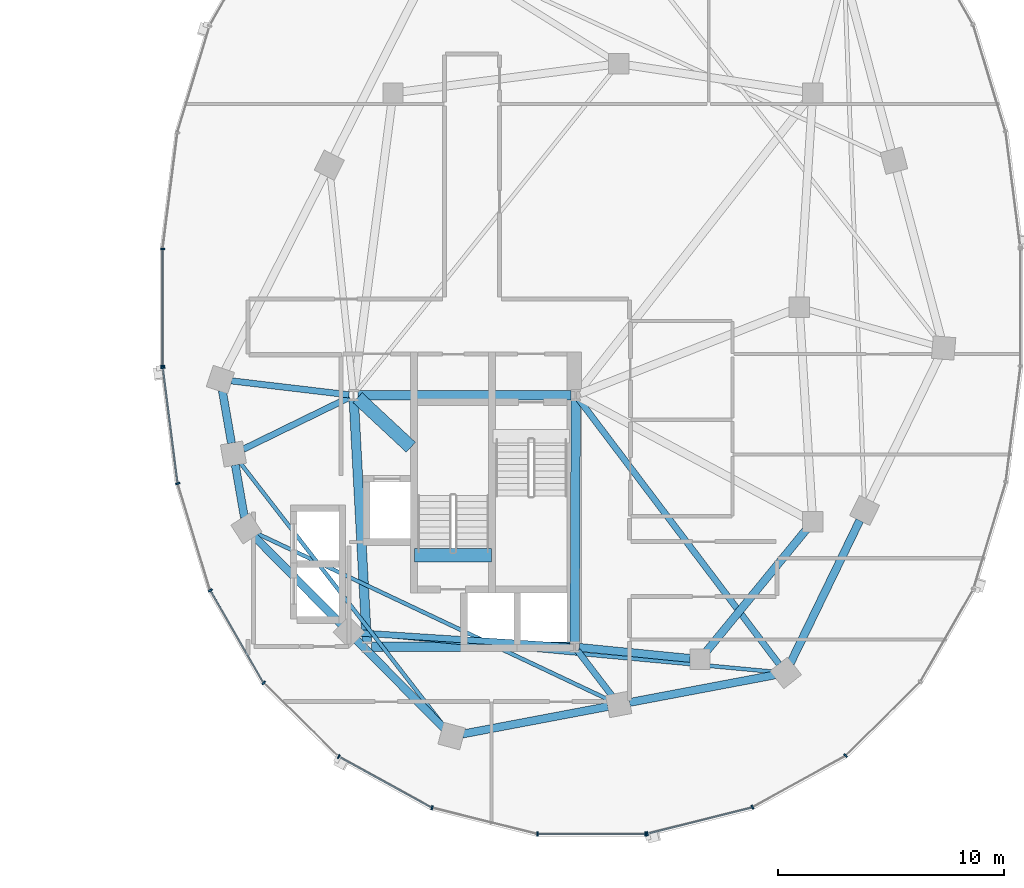
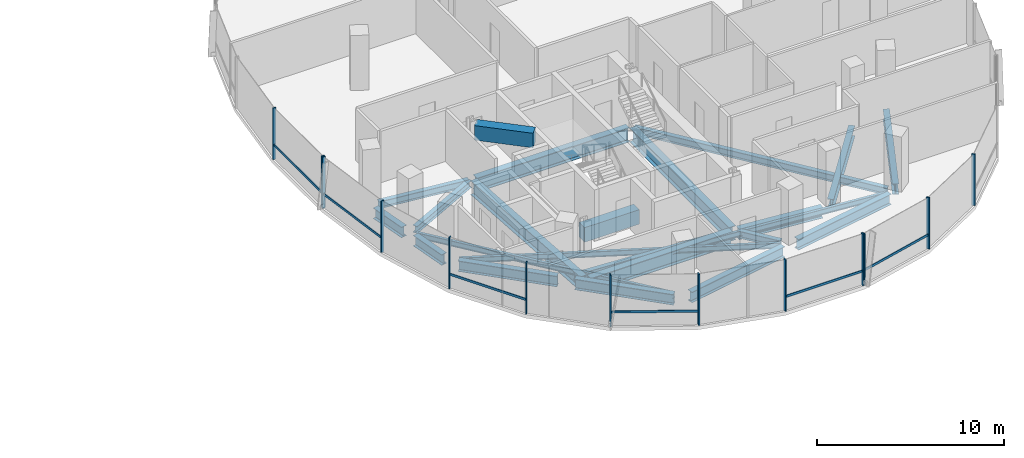
# One storey, part 6 of 22: 23 beams, 19 members, 3 elements without a shape of their own.
"""IFC4 building model written with IfcOpenShell, lengths in metres."""

from ifc_helpers import new_model, si_unit, direction, frame, origin, origin_2d, place, context, subcontext, project, spatial, rectangle, i_section, extrude, material, material_profile, profile_set, type_object, element, aggregate, save


model = new_model("IFC4")

# Units and contexts
model_context = context("Model", 3, precision=1e-05, world=origin(), true_north=direction((0.0, 1.0)))
body_context = subcontext(model_context, "Body", "Model", "MODEL_VIEW")
ifc_project = project(units=[si_unit("LENGTHUNIT", "METRE"), si_unit("AREAUNIT", "SQUARE_METRE"), si_unit("VOLUMEUNIT", "CUBIC_METRE"), si_unit("PLANEANGLEUNIT", "RADIAN"), si_unit("MASSUNIT", "GRAM", prefix="KILO"), si_unit("THERMODYNAMICTEMPERATUREUNIT", "KELVIN"), si_unit("POWERUNIT", "WATT")], contexts=[model_context])

# Site, building, storey
site_placement = place(None, origin())
site = spatial("IfcSite", under=ifc_project, at=site_placement, CompositionType="ELEMENT")
building_placement = place(site_placement, origin())
building = spatial("IfcBuilding", under=site, at=building_placement, Name="Cundina Bronze Exchange", CompositionType="ELEMENT")
storey_placement = place(building_placement, frame((0.0, 0.0, 147.60009765625)))
storey = spatial("IfcBuildingStorey", under=building, at=storey_placement, Name="L38", CompositionType="ELEMENT", Elevation=147.60009765625)

# Beams
ifc_material_1 = material(Name="Concrete C60/75", Category="concrete")
ifc_material_profile_1 = material_profile(ifc_material_1, rectangle(XDim=0.60009765625, YDim=0.949951171875, at=origin_2d()), Name="RC600X950", Category="concrete")
ifc_profile_set_1 = profile_set([ifc_material_profile_1], Name="Concrete C60/75")
beam_type_1 = type_object("IfcBeamType", Name="BM-COUP-RC950", PredefinedType="LINTEL", material=ifc_profile_set_1)
beam_1_placement = place(storey_placement, frame((24.159912109375, -10.97998046875, -0.47509765625), z_axis=(1.0, 0.0, 0.0), x_axis=(0.0, 1.0, 0.0)))
element("IfcBeam", 1, at=beam_1_placement, inside=storey, type_object=beam_type_1, Name="L38 Stair E2 Landing Header Beam", PredefinedType="LINTEL", context=body_context, shape_type="SweptSolid", body=[
    extrude(rectangle(XDim=0.60009765625, YDim=0.949951171875, at=origin_2d()), origin(), (0.0, 0.0, 1.0), 3.400146484375),
])
beam_2_placement = place(storey_placement, frame((21.6298828125, -4.0, 2.885009765625), z_axis=(0.731490439815, -0.681851696822, 0.0), x_axis=(0.681851696822, 0.731490439815, 0.0)))
element("IfcBeam", 2, at=beam_2_placement, inside=storey, type_object=beam_type_1, Name="L38 E Core Shear Coupling Lintel Beam", PredefinedType="LINTEL", context=body_context, shape_type="SweptSolid", body=[
    extrude(rectangle(XDim=0.60009765625, YDim=0.949951171875, at=origin_2d()), origin(), (0.0, 0.0, 1.0), 3.226318359375),
])
ifc_material_2 = material(Name="Steel ASTM A992 Grade 50", Category="steel")
ifc_material_profile_2 = material_profile(ifc_material_2, i_section(OverallWidth=0.280029296875, OverallDepth=0.462890625, WebThickness=0.0107421875, FlangeThickness=0.017333984375, FilletRadius=0.011962890625, at=origin_2d()), Name="W18X76", Category="steel")
ifc_profile_set_2 = profile_set([ifc_material_profile_2], Name="Steel ASTM A992 Grade 50")
beam_type_2 = type_object("IfcBeamType", Name="BM-FLR-W18A", PredefinedType="BEAM", material=ifc_profile_set_2)
beam_3_placement = place(storey_placement, frame((21.247314453125, -3.8759765625, -0.4716796875), z_axis=(-0.993036158382, 0.11780996624, 0.0), x_axis=(-0.11780996624, -0.993036158382, 0.0)))
element("IfcBeam", 3, at=beam_3_placement, inside=storey, type_object=beam_type_2, Name="L38 Leg E Chordal Floor Beam 00", PredefinedType="BEAM", context=body_context, shape_type="SweptSolid", body=[
    extrude(i_section(OverallWidth=0.280029296875, OverallDepth=0.462890625, WebThickness=0.0107421875, FlangeThickness=0.017333984375, FilletRadius=0.011962890625, at=origin_2d()), origin(), (0.0, 0.0, 1.0), 5.249267578125),
])
beam_4_placement = place(storey_placement, frame((21.2666015625, -3.989501953125, -0.4716796875), z_axis=(-0.898604300669, -0.438759969481, 0.0), x_axis=(0.438759969481, -0.898604300669, 0.0)))
element("IfcBeam", 4, at=beam_4_placement, inside=storey, type_object=beam_type_2, Name="L38 Leg E Chordal Floor Beam 01", PredefinedType="BEAM", context=body_context, shape_type="SweptSolid", body=[
    extrude(i_section(OverallWidth=0.280029296875, OverallDepth=0.462890625, WebThickness=0.0107421875, FlangeThickness=0.017333984375, FilletRadius=0.011962890625, at=origin_2d()), origin(), (0.0, 0.0, 1.0), 5.23388671875),
])
beam_5_placement = place(storey_placement, frame((31.04638671875, -15.036865234375, -0.4716796875), z_axis=(-0.99789334888, 0.064875760192, 0.0), x_axis=(-0.064875760192, -0.99789334888, 0.0)))
element("IfcBeam", 5, at=beam_5_placement, inside=storey, type_object=beam_type_2, Name="L38 Leg E Chordal Floor Beam 03", PredefinedType="BEAM", context=body_context, shape_type="SweptSolid", body=[
    extrude(i_section(OverallWidth=0.280029296875, OverallDepth=0.462890625, WebThickness=0.0107421875, FlangeThickness=0.017333984375, FilletRadius=0.011962890625, at=origin_2d()), origin(), (0.0, 0.0, 1.0), 9.328857421875),
])
beam_6_placement = place(storey_placement, frame((31.373779296875, -15.2119140625, -0.4716796875), z_axis=(0.607450107571, -0.794357832977, 0.0), x_axis=(0.794357832977, 0.607450107571, 0.0)))
element("IfcBeam", 6, at=beam_6_placement, inside=storey, type_object=beam_type_2, Name="L38 Leg E Chordal Floor Beam 05", PredefinedType="BEAM", context=body_context, shape_type="SweptSolid", body=[
    extrude(i_section(OverallWidth=0.280029296875, OverallDepth=0.462890625, WebThickness=0.0107421875, FlangeThickness=0.017333984375, FilletRadius=0.011962890625, at=origin_2d()), origin(), (0.0, 0.0, 1.0), 2.518310546875),
])
beam_7_placement = place(storey_placement, frame((31.423095703125, -4.062744140625, -0.4716796875), z_axis=(0.603103901721, -0.797662637792, 0.0), x_axis=(0.797662637792, 0.603103901721, 0.0)))
element("IfcBeam", 7, at=beam_7_placement, inside=storey, type_object=beam_type_2, Name="L38 Leg E Chordal Floor Beam 06", PredefinedType="BEAM", context=body_context, shape_type="SweptSolid", body=[
    extrude(i_section(OverallWidth=0.280029296875, OverallDepth=0.462890625, WebThickness=0.0107421875, FlangeThickness=0.017333984375, FilletRadius=0.011962890625, at=origin_2d()), origin(), (0.0, 0.0, 1.0), 14.72802734375),
])
ifc_material_profile_3 = material_profile(ifc_material_2, i_section(OverallWidth=0.172119140625, OverallDepth=0.35791015625, WebThickness=0.0078125, FlangeThickness=0.01318359375, FilletRadius=0.010009765625, at=origin_2d()), Name="W14X38", Category="steel")
ifc_profile_set_3 = profile_set([ifc_material_profile_3], Name="Steel ASTM A992 Grade 50")
beam_type_3 = type_object("IfcBeamType", Name="BM-JST-W14", PredefinedType="JOIST", material=ifc_profile_set_3)
beam_8_placement = place(storey_placement, frame((16.423583984375, -6.885986328125, -0.419189453125), z_axis=(0.61208354334, -0.790793105668, 0.0), x_axis=(0.790793105668, 0.61208354334, 0.0)))
element("IfcBeam", 8, at=beam_8_placement, inside=storey, type_object=beam_type_3, Name="L38 Leg E Lobe Floor Joist 01-04", PredefinedType="JOIST", context=body_context, shape_type="SweptSolid", body=[
    extrude(i_section(OverallWidth=0.172119140625, OverallDepth=0.35791015625, WebThickness=0.0078125, FlangeThickness=0.01318359375, FilletRadius=0.010009765625, at=origin_2d()), origin(), (0.0, 0.0, 1.0), 14.830810546875),
])
beam_9_placement = place(storey_placement, frame((17.14111328125, -10.008544921875, -0.419189453125), z_axis=(0.904074252188, -0.427375416385, 0.0), x_axis=(0.427375416385, 0.904074252188, 0.0)))
element("IfcBeam", 9, at=beam_9_placement, inside=storey, type_object=beam_type_3, Name="L38 Leg E Lobe Floor Joist 02-05", PredefinedType="JOIST", context=body_context, shape_type="SweptSolid", body=[
    extrude(i_section(OverallWidth=0.172119140625, OverallDepth=0.35791015625, WebThickness=0.0078125, FlangeThickness=0.01318359375, FilletRadius=0.010009765625, at=origin_2d()), origin(), (0.0, 0.0, 1.0), 17.274658203125),
])
beam_10_placement = place(storey_placement, frame((21.73583984375, -14.4453125, -0.419189453125), z_axis=(0.995701840093, -0.092616659595, 0.0), x_axis=(0.092616659595, 0.995701840093, 0.0)))
element("IfcBeam", 10, at=beam_10_placement, inside=storey, type_object=beam_type_3, Name="L38 Leg E Lobe Floor Joist 03-06", PredefinedType="JOIST", context=body_context, shape_type="SweptSolid", body=[
    extrude(i_section(OverallWidth=0.172119140625, OverallDepth=0.35791015625, WebThickness=0.0078125, FlangeThickness=0.01318359375, FilletRadius=0.010009765625, at=origin_2d()), origin(), (0.0, 0.0, 1.0), 18.45751953125),
])
ifc_material_profile_4 = material_profile(ifc_material_2, i_section(OverallWidth=0.35498046875, OverallDepth=0.695068359375, WebThickness=0.015380859375, FlangeThickness=0.02490234375, FilletRadius=0.01806640625, at=origin_2d()), Name="W27X146", Category="steel")
ifc_profile_set_4 = profile_set([ifc_material_profile_4], Name="Steel ASTM A992 Grade 50")
beam_type_4 = type_object("IfcBeamType", Name="BM-RING-W27", PredefinedType="USERDEFINED", material=ifc_profile_set_4)
beam_11_placement = place(storey_placement, frame((31.452880859375, -15.070068359375, -0.587646484375), z_axis=(0.995123020608, -0.098641643622, 0.0), x_axis=(0.098641643622, 0.995123020608, 0.0)))
element("IfcBeam", 11, at=beam_11_placement, inside=storey, type_object=beam_type_4, Name="L38 E Inner Structural Ring Girder 01", ObjectType="GIRDER", PredefinedType="USERDEFINED", context=body_context, shape_type="SweptSolid", body=[
    extrude(i_section(OverallWidth=0.35498046875, OverallDepth=0.695068359375, WebThickness=0.015380859375, FlangeThickness=0.02490234375, FilletRadius=0.01806640625, at=origin_2d()), origin(), (0.0, 0.0, 1.0), 4.935302734375),
])
beam_12_placement = place(storey_placement, frame((37.07763671875, -15.26123046875, -0.587646484375), z_axis=(0.633912590175, 0.77340469873, 0.0), x_axis=(-0.77340469873, 0.633912590175, 0.0)))
element("IfcBeam", 12, at=beam_12_placement, inside=storey, type_object=beam_type_4, Name="L38 E Inner Structural Ring Girder 02", ObjectType="GIRDER", PredefinedType="USERDEFINED", context=body_context, shape_type="SweptSolid", body=[
    extrude(i_section(OverallWidth=0.35498046875, OverallDepth=0.695068359375, WebThickness=0.015380859375, FlangeThickness=0.02490234375, FilletRadius=0.01806640625, at=origin_2d()), origin(), (0.0, 0.0, 1.0), 7.01123046875),
])
for number, where, z_axis, x_axis, name in (
    (13, (15.6337890625, -3.680908203125, -0.587646484375), (0.171666718895, -0.985155083032, 0.0), (0.985155083032, 0.171666718895, 0.0), "L38 E Perimeter Ring Girder 00"),
    (14, (16.208740234375, -6.980712890625, -0.587646484375), (0.171666718895, -0.985155083032, 0.0), (0.985155083032, 0.171666718895, 0.0), "L38 E Perimeter Ring Girder 01"),
):
    element("IfcBeam", number, at=place(storey_placement, frame(where, z_axis=z_axis, x_axis=x_axis)), inside=storey, type_object=beam_type_4, Name=name, ObjectType="GIRDER", PredefinedType="USERDEFINED", context=body_context, shape_type="SweptSolid", body=[
        extrude(i_section(OverallWidth=0.35498046875, OverallDepth=0.695068359375, WebThickness=0.015380859375, FlangeThickness=0.02490234375, FilletRadius=0.01806640625, at=origin_2d()), origin(), (0.0, 0.0, 1.0), 2.37353515625),
    ])
beam_13_placement = place(storey_placement, frame((17.043212890625, -10.14697265625, -0.587646484375), z_axis=(0.703230112979, -0.710962311378, 0.0), x_axis=(0.710962311378, 0.703230112979, 0.0)))
element("IfcBeam", 15, at=beam_13_placement, inside=storey, type_object=beam_type_4, Name="L38 E Perimeter Ring Girder 02", ObjectType="GIRDER", PredefinedType="USERDEFINED", context=body_context, shape_type="SweptSolid", body=[
    extrude(i_section(OverallWidth=0.35498046875, OverallDepth=0.695068359375, WebThickness=0.015380859375, FlangeThickness=0.02490234375, FilletRadius=0.01806640625, at=origin_2d()), origin(), (0.0, 0.0, 1.0), 5.493896484375),
])
beam_14_placement = place(storey_placement, frame((21.59326171875, -14.746826171875, -0.587646484375), z_axis=(0.703207895705, -0.710984286337, 0.0), x_axis=(0.710984286337, 0.703207895705, 0.0)))
element("IfcBeam", 16, at=beam_14_placement, inside=storey, type_object=beam_type_4, Name="L38 E Perimeter Ring Girder 03", ObjectType="GIRDER", PredefinedType="USERDEFINED", context=body_context, shape_type="SweptSolid", body=[
    extrude(i_section(OverallWidth=0.35498046875, OverallDepth=0.695068359375, WebThickness=0.015380859375, FlangeThickness=0.02490234375, FilletRadius=0.01806640625, at=origin_2d()), origin(), (0.0, 0.0, 1.0), 5.494140625),
])
beam_15_placement = place(storey_placement, frame((26.279541015625, -18.9091796875, -0.587646484375), z_axis=(0.982571532667, 0.185884865421, 0.0), x_axis=(-0.185884865421, 0.982571532667, 0.0)))
element("IfcBeam", 17, at=beam_15_placement, inside=storey, type_object=beam_type_4, Name="L38 E Perimeter Ring Girder 04", ObjectType="GIRDER", PredefinedType="USERDEFINED", context=body_context, shape_type="SweptSolid", body=[
    extrude(i_section(OverallWidth=0.35498046875, OverallDepth=0.695068359375, WebThickness=0.015380859375, FlangeThickness=0.02490234375, FilletRadius=0.01806640625, at=origin_2d()), origin(), (0.0, 0.0, 1.0), 6.55517578125),
])
beam_16_placement = place(storey_placement, frame((33.679443359375, -17.50927734375, -0.587646484375), z_axis=(0.982572819495, 0.185878063226, 0.0), x_axis=(-0.185878063226, 0.982572819495, 0.0)))
element("IfcBeam", 18, at=beam_16_placement, inside=storey, type_object=beam_type_4, Name="L38 E Perimeter Ring Girder 05", ObjectType="GIRDER", PredefinedType="USERDEFINED", context=body_context, shape_type="SweptSolid", body=[
    extrude(i_section(OverallWidth=0.35498046875, OverallDepth=0.695068359375, WebThickness=0.015380859375, FlangeThickness=0.02490234375, FilletRadius=0.01806640625, at=origin_2d()), origin(), (0.0, 0.0, 1.0), 6.555419921875),
])
beam_17_placement = place(storey_placement, frame((40.8134765625, -15.760986328125, -0.587646484375), z_axis=(0.437196998825, 0.89936576776, 0.0), x_axis=(-0.89936576776, 0.437196998825, 0.0)))
element("IfcBeam", 19, at=beam_17_placement, inside=storey, type_object=beam_type_4, Name="L38 E Perimeter Ring Girder 06", ObjectType="GIRDER", PredefinedType="USERDEFINED", context=body_context, shape_type="SweptSolid", body=[
    extrude(i_section(OverallWidth=0.35498046875, OverallDepth=0.695068359375, WebThickness=0.015380859375, FlangeThickness=0.02490234375, FilletRadius=0.01806640625, at=origin_2d()), origin(), (0.0, 0.0, 1.0), 7.029541015625),
])
ifc_material_profile_5 = material_profile(ifc_material_2, i_section(OverallWidth=0.41796875, OverallDepth=0.927001953125, WebThickness=0.019287109375, FlangeThickness=0.031982421875, FilletRadius=0.02392578125, at=origin_2d()), Name="W36X231", Category="steel")
ifc_profile_set_5 = profile_set([ifc_material_profile_5], Name="Steel ASTM A992 Grade 50")
beam_type_5 = type_object("IfcBeamType", Name="BM-WRN-W36B", PredefinedType="USERDEFINED", material=ifc_profile_set_5)
beam_18_placement = place(storey_placement, frame((31.095947265625, -3.89990234375, -0.70361328125), z_axis=(-1.0, 0.0, 0.0), x_axis=(0.0, -1.0, 0.0)))
element("IfcBeam", 20, at=beam_18_placement, inside=storey, type_object=beam_type_5, Name="L38 E Core Perimeter Tie Girder 1", ObjectType="GIRDER", PredefinedType="USERDEFINED", context=body_context, shape_type="SweptSolid", body=[
    extrude(i_section(OverallWidth=0.41796875, OverallDepth=0.927001953125, WebThickness=0.019287109375, FlangeThickness=0.031982421875, FilletRadius=0.02392578125, at=origin_2d()), origin(), (0.0, 0.0, 1.0), 9.44189453125),
])
beam_19_placement = place(storey_placement, frame((21.4609375, -4.103759765625, -0.70361328125), z_axis=(0.053739193498, -0.998555005537, 0.0), x_axis=(0.998555005537, 0.053739193498, 0.0)))
element("IfcBeam", 21, at=beam_19_placement, inside=storey, type_object=beam_type_5, Name="L38 E Core Perimeter Tie Girder 2", ObjectType="GIRDER", PredefinedType="USERDEFINED", context=body_context, shape_type="SweptSolid", body=[
    extrude(i_section(OverallWidth=0.41796875, OverallDepth=0.927001953125, WebThickness=0.019287109375, FlangeThickness=0.031982421875, FilletRadius=0.02392578125, at=origin_2d()), origin(), (0.0, 0.0, 1.0), 10.758056640625),
])
beam_20_placement = place(storey_placement, frame((22.25390625, -15.050048828125, -0.70361328125), z_axis=(1.0, 0.0, 0.0), x_axis=(0.0, 1.0, 0.0)))
element("IfcBeam", 22, at=beam_20_placement, inside=storey, type_object=beam_type_5, Name="L38 E Core Perimeter Tie Girder 3", ObjectType="GIRDER", PredefinedType="USERDEFINED", context=body_context, shape_type="SweptSolid", body=[
    extrude(i_section(OverallWidth=0.41796875, OverallDepth=0.927001953125, WebThickness=0.019287109375, FlangeThickness=0.031982421875, FilletRadius=0.02392578125, at=origin_2d()), origin(), (0.0, 0.0, 1.0), 8.7919921875),
])
beam_21_placement = place(storey_placement, frame((31.2509765625, -14.845947265625, -0.70361328125), z_axis=(0.004477329608, 0.99998997671, 0.0), x_axis=(-0.99998997671, 0.004477329608, 0.0)))
element("IfcBeam", 23, at=beam_21_placement, inside=storey, type_object=beam_type_5, Name="L38 E Core Perimeter Tie Girder 4", ObjectType="GIRDER", PredefinedType="USERDEFINED", context=body_context, shape_type="SweptSolid", body=[
    extrude(i_section(OverallWidth=0.41796875, OverallDepth=0.927001953125, WebThickness=0.019287109375, FlangeThickness=0.031982421875, FilletRadius=0.02392578125, at=origin_2d()), origin(), (0.0, 0.0, 1.0), 10.741943359375),
])

# Curtain wall, members
ifc_material_3 = material(Name="Anodised Bronze Aluminium 6063-T6", Category="aluminium")
curtain_wall_type = type_object("IfcCurtainWallType", Name="CWS-WST-PIN", PredefinedType="NOTDEFINED", material=ifc_material_3)
curtain_wall_1_placement = place(storey_placement, origin())
curtain_wall_1 = element("IfcCurtainWall", 24, at=curtain_wall_1_placement, inside=storey, type_object=curtain_wall_type, Name="L38 CW-04 Curtain Wall Run CWR-L38-E2", PredefinedType="NOTDEFINED")
ifc_material_profile_6 = material_profile(ifc_material_3, rectangle(XDim=0.070068359375, YDim=0.18994140625, at=origin_2d()), Name="AL70X190", Category="aluminium")
ifc_profile_set_6 = profile_set([ifc_material_profile_6], Name="Anodised Bronze Aluminium 6063-T6")
member_type_1 = type_object("IfcMemberType", Name="CWM-MUL-190", PredefinedType="MULLION", material=ifc_profile_set_6)
member_1_placement = place(storey_placement, frame((12.992919921875, 2.593017578125, 0.0), z_axis=(0.0, 0.0, 1.0), x_axis=(0.0, -1.0, 0.0)))
member_1 = element("IfcMember", 25, at=member_1_placement, type_object=member_type_1, Name="CW-04 Mullion 7", PredefinedType="MULLION", context=body_context, shape_type="SweptSolid", body=[
    extrude(rectangle(XDim=0.070068359375, YDim=0.18994140625, at=origin_2d()), origin(), (0.0, 0.0, 1.0), 3.35986328125),
])
member_2_placement = place(storey_placement, frame((12.992919921875, -2.593017578125, 0.0), z_axis=(0.0, 0.0, 1.0), x_axis=(0.0, -1.0, 0.0)))
member_2 = element("IfcMember", 26, at=member_2_placement, type_object=member_type_1, Name="CW-04 End Mullion", PredefinedType="MULLION", context=body_context, shape_type="SweptSolid", body=[
    extrude(rectangle(XDim=0.070068359375, YDim=0.18994140625, at=origin_2d()), origin(), (0.0, 0.0, 1.0), 3.35986328125),
])

curtain_wall_2_placement = place(storey_placement, origin())
curtain_wall_2 = element("IfcCurtainWall", 27, at=curtain_wall_2_placement, inside=storey, type_object=curtain_wall_type, Name="L38 CW-04 Curtain Wall Run CWR-L38-E3", PredefinedType="NOTDEFINED")
member_3_placement = place(storey_placement, frame((12.998291015625, -2.676025390625, 0.0), z_axis=(0.0, 0.0, 1.0), x_axis=(0.126545236492, -0.991960837494, 0.0)))
member_3 = element("IfcMember", 28, at=member_3_placement, type_object=member_type_1, Name="CW-04 Mullion 1", PredefinedType="MULLION", context=body_context, shape_type="SweptSolid", body=[
    extrude(rectangle(XDim=0.070068359375, YDim=0.18994140625, at=origin_2d()), origin(), (0.0, 0.0, 1.0), 3.35986328125),
])
member_4_placement = place(storey_placement, frame((13.6591796875, -7.80859375, 0.0), z_axis=(0.0, 0.0, 1.0), x_axis=(0.290034140915, -0.957016299288, 0.0)))
member_4 = element("IfcMember", 29, at=member_4_placement, type_object=member_type_1, Name="CW-04 Mullion 2", PredefinedType="MULLION", context=body_context, shape_type="SweptSolid", body=[
    extrude(rectangle(XDim=0.070068359375, YDim=0.18994140625, at=origin_2d()), origin(), (0.0, 0.0, 1.0), 3.35986328125),
])
member_5_placement = place(storey_placement, frame((15.10205078125, -12.541259765625, 0.0), z_axis=(0.0, 0.0, 1.0), x_axis=(0.498487739754, -0.866896748936, 0.0)))
member_5 = element("IfcMember", 30, at=member_5_placement, type_object=member_type_1, Name="CW-04 Mullion 3", PredefinedType="MULLION", context=body_context, shape_type="SweptSolid", body=[
    extrude(rectangle(XDim=0.070068359375, YDim=0.18994140625, at=origin_2d()), origin(), (0.0, 0.0, 1.0), 3.35986328125),
])
member_6_placement = place(storey_placement, frame((17.469482421875, -16.640380859375, 0.0), z_axis=(0.0, 0.0, 1.0), x_axis=(0.712026045991, -0.702153052995, 0.0)))
member_6 = element("IfcMember", 31, at=member_6_placement, type_object=member_type_1, Name="CW-04 Mullion 4", PredefinedType="MULLION", context=body_context, shape_type="SweptSolid", body=[
    extrude(rectangle(XDim=0.070068359375, YDim=0.18994140625, at=origin_2d()), origin(), (0.0, 0.0, 1.0), 3.35986328125),
])
member_7_placement = place(storey_placement, frame((20.79345703125, -19.906005859375, 0.0), z_axis=(0.0, 0.0, 1.0), x_axis=(0.875885937035, -0.482518212408, 0.0)))
member_7 = element("IfcMember", 32, at=member_7_placement, type_object=member_type_1, Name="CW-04 Mullion 5", PredefinedType="MULLION", context=body_context, shape_type="SweptSolid", body=[
    extrude(rectangle(XDim=0.070068359375, YDim=0.18994140625, at=origin_2d()), origin(), (0.0, 0.0, 1.0), 3.35986328125),
])
member_8_placement = place(storey_placement, frame((24.932373046875, -22.17626953125, 0.0), z_axis=(0.0, 0.0, 1.0), x_axis=(0.970084240161, -0.242768546132, 0.0)))
member_8 = element("IfcMember", 33, at=member_8_placement, type_object=member_type_1, Name="CW-04 Mullion 6", PredefinedType="MULLION", context=body_context, shape_type="SweptSolid", body=[
    extrude(rectangle(XDim=0.070068359375, YDim=0.18994140625, at=origin_2d()), origin(), (0.0, 0.0, 1.0), 3.35986328125),
])
member_9_placement = place(storey_placement, frame((29.60595703125, -23.3369140625, 0.0), z_axis=(0.0, 0.0, 1.0), x_axis=(1.0, 0.0, 0.0)))
member_9 = element("IfcMember", 34, at=member_9_placement, type_object=member_type_1, Name="CW-04 Mullion 7", PredefinedType="MULLION", context=body_context, shape_type="SweptSolid", body=[
    extrude(rectangle(XDim=0.070068359375, YDim=0.18994140625, at=origin_2d()), origin(), (0.0, 0.0, 1.0), 3.35986328125),
])
member_10_placement = place(storey_placement, frame((34.39404296875, -23.3369140625, 0.0), z_axis=(0.0, 0.0, 1.0), x_axis=(1.0, 0.0, 0.0)))
member_10 = element("IfcMember", 35, at=member_10_placement, type_object=member_type_1, Name="CW-04 End Mullion", PredefinedType="MULLION", context=body_context, shape_type="SweptSolid", body=[
    extrude(rectangle(XDim=0.070068359375, YDim=0.18994140625, at=origin_2d()), origin(), (0.0, 0.0, 1.0), 3.35986328125),
])

curtain_wall_3_placement = place(storey_placement, origin())
curtain_wall_3 = element("IfcCurtainWall", 36, at=curtain_wall_3_placement, inside=storey, type_object=curtain_wall_type, Name="L38 CW-04 Curtain Wall Run CWR-L38-E4", PredefinedType="NOTDEFINED")
member_11_placement = place(storey_placement, frame((34.462646484375, -23.32861328125, 0.0), z_axis=(0.0, 0.0, 1.0), x_axis=(0.970084240161, 0.242768546132, 0.0)))
member_11 = element("IfcMember", 37, at=member_11_placement, type_object=member_type_1, Name="CW-04 Mullion 1", PredefinedType="MULLION", context=body_context, shape_type="SweptSolid", body=[
    extrude(rectangle(XDim=0.070068359375, YDim=0.18994140625, at=origin_2d()), origin(), (0.0, 0.0, 1.0), 3.35986328125),
])
member_12_placement = place(storey_placement, frame((39.13037109375, -22.151611328125, 0.0), z_axis=(0.0, 0.0, 1.0), x_axis=(0.875885937035, 0.482518212408, 0.0)))
member_12 = element("IfcMember", 38, at=member_12_placement, type_object=member_type_1, Name="CW-04 Mullion 2", PredefinedType="MULLION", context=body_context, shape_type="SweptSolid", body=[
    extrude(rectangle(XDim=0.070068359375, YDim=0.18994140625, at=origin_2d()), origin(), (0.0, 0.0, 1.0), 3.35986328125),
])
member_13_placement = place(storey_placement, frame((43.259033203125, -19.86669921875, 0.0), z_axis=(0.0, 0.0, 1.0), x_axis=(0.712026045991, 0.702153052995, 0.0)))
member_13 = element("IfcMember", 39, at=member_13_placement, type_object=member_type_1, Name="CW-04 Mullion 3", PredefinedType="MULLION", context=body_context, shape_type="SweptSolid", body=[
    extrude(rectangle(XDim=0.070068359375, YDim=0.18994140625, at=origin_2d()), origin(), (0.0, 0.0, 1.0), 3.35986328125),
])

# Member
ifc_material_profile_7 = material_profile(ifc_material_3, rectangle(XDim=0.06494140625, YDim=0.14990234375, at=origin_2d()), Name="AL65X150", Category="aluminium")
ifc_profile_set_7 = profile_set([ifc_material_profile_7], Name="Anodised Bronze Aluminium 6063-T6")
member_type_2 = type_object("IfcMemberType", Name="CWM-TRN-150", PredefinedType="USERDEFINED", material=ifc_profile_set_7)
member_14_placement = place(storey_placement, frame((12.992919921875, 2.554443359375, 0.919921875), z_axis=(0.0, -1.0, 0.0), x_axis=(1.0, 0.0, 0.0)))
member_14 = element("IfcMember", 40, at=member_14_placement, type_object=member_type_2, Name="CW-04 Spandrel Transom 7", ObjectType="TRANSOM", PredefinedType="USERDEFINED", context=body_context, shape_type="SweptSolid", body=[
    extrude(rectangle(XDim=0.06494140625, YDim=0.14990234375, at=origin_2d()), origin(), (0.0, 0.0, 1.0), 5.10888671875),
])

aggregate(curtain_wall_1, [member_1, member_2, member_14])

member_15_placement = place(storey_placement, frame((13.003173828125, -2.71435546875, 0.919921875), z_axis=(0.12646340362, -0.991971273548, 0.0), x_axis=(0.991971273548, 0.12646340362, 0.0)))
member_15 = element("IfcMember", 41, at=member_15_placement, type_object=member_type_2, Name="CW-04 Spandrel Transom 1", ObjectType="TRANSOM", PredefinedType="USERDEFINED", context=body_context, shape_type="SweptSolid", body=[
    extrude(rectangle(XDim=0.06494140625, YDim=0.14990234375, at=origin_2d()), origin(), (0.0, 0.0, 1.0), 5.0966796875),
])

member_16_placement = place(storey_placement, frame((15.121337890625, -12.574462890625, 0.919921875), z_axis=(0.498479967047, -0.866901218394, 0.0), x_axis=(0.866901218394, 0.498479967047, 0.0)))
member_16 = element("IfcMember", 42, at=member_16_placement, type_object=member_type_2, Name="CW-04 Spandrel Transom 3", ObjectType="TRANSOM", PredefinedType="USERDEFINED", context=body_context, shape_type="SweptSolid", body=[
    extrude(rectangle(XDim=0.06494140625, YDim=0.14990234375, at=origin_2d()), origin(), (0.0, 0.0, 1.0), 4.66845703125),
])

member_17_placement = place(storey_placement, frame((20.8271484375, -19.924560546875, 0.919921875), z_axis=(0.875878981549, -0.482530838062, 0.0), x_axis=(0.482530838062, 0.875878981549, 0.0)))
member_17 = element("IfcMember", 43, at=member_17_placement, type_object=member_type_2, Name="CW-04 Spandrel Transom 5", ObjectType="TRANSOM", PredefinedType="USERDEFINED", context=body_context, shape_type="SweptSolid", body=[
    extrude(rectangle(XDim=0.06494140625, YDim=0.14990234375, at=origin_2d()), origin(), (0.0, 0.0, 1.0), 4.65380859375),
])

member_18_placement = place(storey_placement, frame((29.64453125, -23.3369140625, 0.919921875), z_axis=(1.0, 0.0, 0.0), x_axis=(0.0, 1.0, 0.0)))
member_18 = element("IfcMember", 44, at=member_18_placement, type_object=member_type_2, Name="CW-04 Spandrel Transom 7", ObjectType="TRANSOM", PredefinedType="USERDEFINED", context=body_context, shape_type="SweptSolid", body=[
    extrude(rectangle(XDim=0.06494140625, YDim=0.14990234375, at=origin_2d()), origin(), (0.0, 0.0, 1.0), 4.7109375),
])

aggregate(curtain_wall_2, [member_3, member_15, member_4, member_5, member_16, member_6, member_7, member_17, member_8, member_9, member_10, member_18])

member_19_placement = place(storey_placement, frame((34.5, -23.319091796875, 0.919921875), z_axis=(0.970100130035, 0.242705042606, 0.0), x_axis=(-0.242705042606, 0.970100130035, 0.0)))
member_19 = element("IfcMember", 45, at=member_19_placement, type_object=member_type_2, Name="CW-04 Spandrel Transom 1", ObjectType="TRANSOM", PredefinedType="USERDEFINED", context=body_context, shape_type="SweptSolid", body=[
    extrude(rectangle(XDim=0.06494140625, YDim=0.14990234375, at=origin_2d()), origin(), (0.0, 0.0, 1.0), 4.746826171875),
])

aggregate(curtain_wall_3, [member_11, member_19, member_12, member_13])

save(model, "model.ifc")
